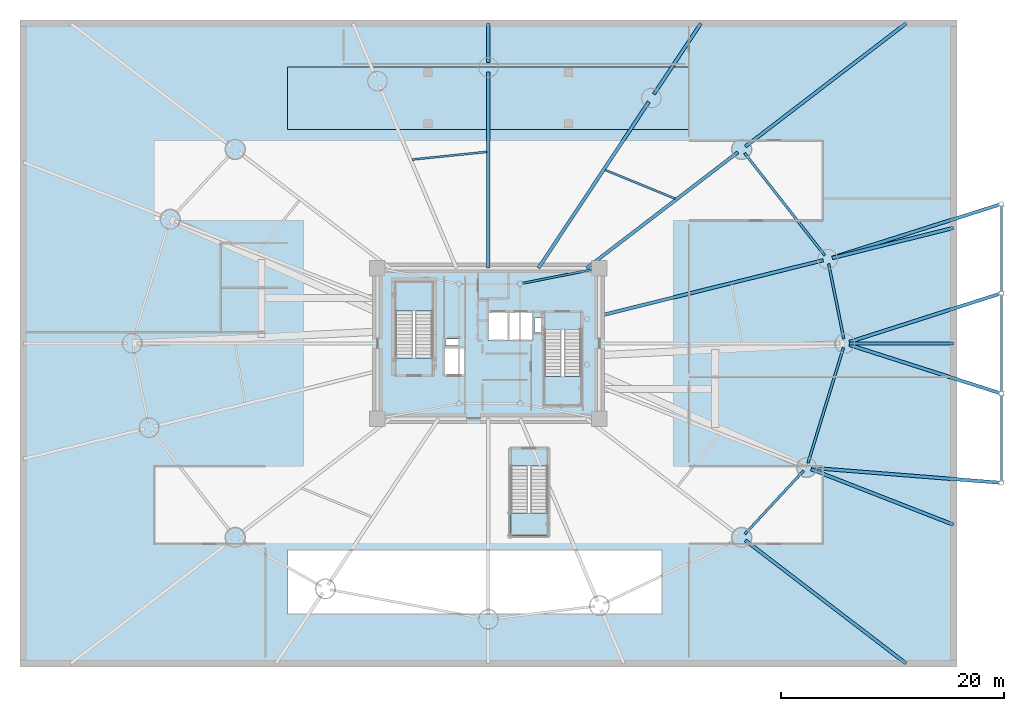
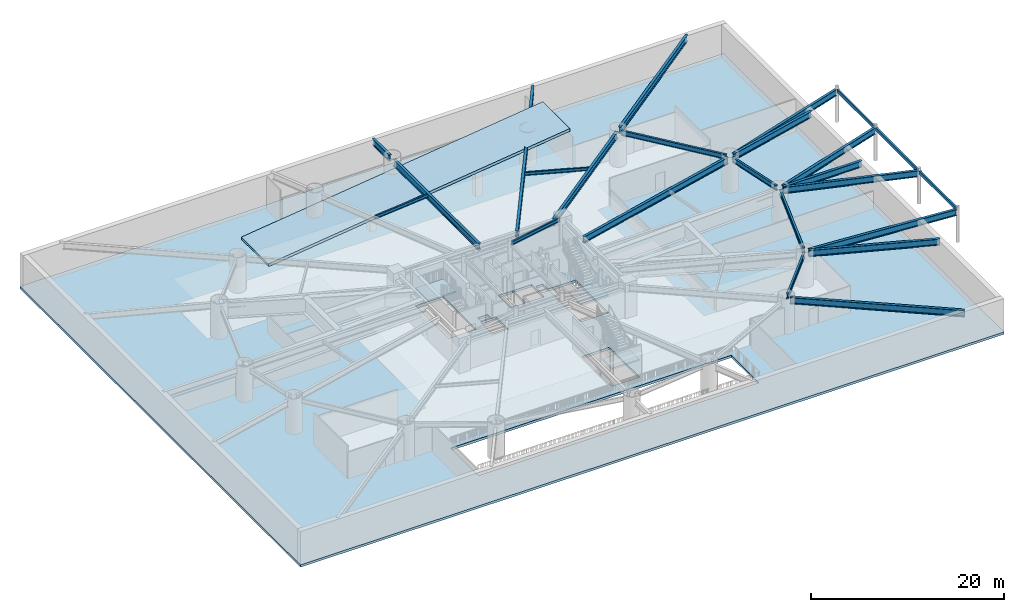
# One storey, part 6 of 21: 25 beams, 5 slabs, 3 elements without a shape of their own.
"""IFC4 building model written with IfcOpenShell, lengths in metres."""

from ifc_helpers import new_model, si_unit, direction, frame, origin, origin_2d, place, context, subcontext, project, spatial, polyline, hollow_rectangle, i_section, outline, extrude, material, layer, layer_set, material_profile, profile_set, type_object, element, aggregate, save


model = new_model("IFC4")

# Units and contexts
model_context = context("Model", 3, precision=1e-05, world=origin(), true_north=direction((0.0, 1.0)))
body_context = subcontext(model_context, "Body", "Model", "MODEL_VIEW")
ifc_project = project(units=[si_unit("LENGTHUNIT", "METRE"), si_unit("AREAUNIT", "SQUARE_METRE"), si_unit("VOLUMEUNIT", "CUBIC_METRE"), si_unit("PLANEANGLEUNIT", "RADIAN"), si_unit("MASSUNIT", "GRAM", prefix="KILO")], contexts=[model_context])

# Site, building, storey
site_placement = place(None, origin())
site = spatial("IfcSite", under=ifc_project, at=site_placement, CompositionType="ELEMENT")
building_placement = place(site_placement, origin())
building = spatial("IfcBuilding", under=site, at=building_placement, Name="Linh Dai School and Residence Tower", CompositionType="ELEMENT")
storey_placement = place(building_placement, frame((0.0, 0.0, -4.5)))
storey = spatial("IfcBuildingStorey", under=building, at=storey_placement, Name="B01", CompositionType="ELEMENT", Elevation=-4.5)

# Beams
ifc_material_1 = material(Name="Structural Steel S355JR", Category="steel")
ifc_material_profile_1 = material_profile(ifc_material_1, hollow_rectangle(XDim=0.199951171875, YDim=0.39990234375, WallThickness=0.012451171875, at=origin_2d()), Name="RHS 400x200x12.5")
ifc_profile_set_1 = profile_set([ifc_material_profile_1], Name="Structural Steel S355JR")
beam_type_1 = type_object("IfcBeamType", Name="BM-BX4", PredefinedType="BEAM", material=ifc_profile_set_1)
beam_1_placement = place(storey_placement, frame((82.0, 14.673095703125, 4.0), z_axis=(0.0, 1.0, 0.0), x_axis=(-1.0, 0.0, 0.0)))
element("IfcBeam", 1, at=beam_1_placement, inside=storey, type_object=beam_type_1, Name="B01 East Arrival Canopy Edge Beam 1", PredefinedType="BEAM", context=body_context, shape_type="SweptSolid", body=[
    extrude(hollow_rectangle(XDim=0.199951171875, YDim=0.39990234375, WallThickness=0.012451171875, at=origin_2d()), origin(), (0.0, 0.0, 1.0), 7.65380859375),
])
beam_2_placement = place(storey_placement, frame((82.0, 22.673095703125, 4.0), z_axis=(0.0, 1.0, 0.0), x_axis=(-1.0, 0.0, 0.0)))
element("IfcBeam", 2, at=beam_2_placement, inside=storey, type_object=beam_type_1, Name="B01 East Arrival Canopy Edge Beam 2", PredefinedType="BEAM", context=body_context, shape_type="SweptSolid", body=[
    extrude(hollow_rectangle(XDim=0.199951171875, YDim=0.39990234375, WallThickness=0.012451171875, at=origin_2d()), origin(), (0.0, 0.0, 1.0), 8.65380859375),
])
beam_3_placement = place(storey_placement, frame((82.0, 31.673095703125, 4.0), z_axis=(0.0, 1.0, 0.0), x_axis=(-1.0, 0.0, 0.0)))
element("IfcBeam", 3, at=beam_3_placement, inside=storey, type_object=beam_type_1, Name="B01 East Arrival Canopy Edge Beam 3", PredefinedType="BEAM", context=body_context, shape_type="SweptSolid", body=[
    extrude(hollow_rectangle(XDim=0.199951171875, YDim=0.39990234375, WallThickness=0.012451171875, at=origin_2d()), origin(), (0.0, 0.0, 1.0), 7.65380859375),
])
ifc_material_profile_2 = material_profile(ifc_material_1, i_section(OverallWidth=0.219970703125, OverallDepth=0.60009765625, WebThickness=0.011962890625, FlangeThickness=0.01904296875, FilletRadius=0.02392578125, at=origin_2d()), Name="IPE 600")
ifc_profile_set_2 = profile_set([ifc_material_profile_2], Name="Structural Steel S355JR")
beam_type_2 = type_object("IfcBeamType", Name="BM-RB60", PredefinedType="BEAM", material=ifc_profile_set_2)
beam_4_placement = place(storey_placement, frame((67.86669921875, 27.41162109375, 3.89990234375), z_axis=(-0.198405440792, 0.980120034008, 0.0), x_axis=(-0.980120034008, -0.198405440792, 0.0)))
element("IfcBeam", 4, at=beam_4_placement, inside=storey, type_object=beam_type_2, Name="B01 Perimeter Elliptical Ring Beam 01", PredefinedType="BEAM", context=body_context, shape_type="SweptSolid", body=[
    extrude(i_section(OverallWidth=0.219970703125, OverallDepth=0.60009765625, WebThickness=0.011962890625, FlangeThickness=0.01904296875, FilletRadius=0.02392578125, at=origin_2d()), origin(), (0.0, 0.0, 1.0), 6.86865234375),
])
beam_5_placement = place(storey_placement, frame((66.161376953125, 34.885986328125, 3.89990234375), z_axis=(-0.616811949607, 0.787110550572, 0.0), x_axis=(-0.787110550572, -0.616811949607, 0.0)))
element("IfcBeam", 5, at=beam_5_placement, inside=storey, type_object=beam_type_2, Name="B01 Perimeter Elliptical Ring Beam 02", PredefinedType="BEAM", context=body_context, shape_type="SweptSolid", body=[
    extrude(i_section(OverallWidth=0.219970703125, OverallDepth=0.60009765625, WebThickness=0.011962890625, FlangeThickness=0.01904296875, FilletRadius=0.02392578125, at=origin_2d()), origin(), (0.0, 0.0, 1.0), 11.668212890625),
])
beam_6_placement = place(storey_placement, frame((58.990966796875, 9.9072265625, 3.89990234375), z_axis=(0.680345653715, 0.73289139132, 0.0), x_axis=(-0.73289139132, 0.680345653715, 0.0)))
element("IfcBeam", 6, at=beam_6_placement, inside=storey, type_object=beam_type_2, Name="B01 Perimeter Elliptical Ring Beam 15", PredefinedType="BEAM", context=body_context, shape_type="SweptSolid", body=[
    extrude(i_section(OverallWidth=0.219970703125, OverallDepth=0.60009765625, WebThickness=0.011962890625, FlangeThickness=0.01904296875, FilletRadius=0.02392578125, at=origin_2d()), origin(), (0.0, 0.0, 1.0), 7.726806640625),
])
beam_7_placement = place(storey_placement, frame((64.656982421875, 16.279541015625, 3.89990234375), z_axis=(0.293626522026, 0.955920219246, 0.0), x_axis=(-0.955920219246, 0.293626522026, 0.0)))
element("IfcBeam", 7, at=beam_7_placement, inside=storey, type_object=beam_type_2, Name="B01 Perimeter Elliptical Ring Beam 16", PredefinedType="BEAM", context=body_context, shape_type="SweptSolid", body=[
    extrude(i_section(OverallWidth=0.219970703125, OverallDepth=0.60009765625, WebThickness=0.011962890625, FlangeThickness=0.01904296875, FilletRadius=0.02392578125, at=origin_2d()), origin(), (0.0, 0.0, 1.0), 10.794921875),
])
ifc_material_profile_3 = material_profile(ifc_material_1, i_section(OverallWidth=0.300048828125, OverallDepth=0.800048828125, WebThickness=0.017578125, FlangeThickness=0.032958984375, FilletRadius=0.030029296875, at=origin_2d()), Name="HEB 800")
ifc_profile_set_3 = profile_set([ifc_material_profile_3], Name="Structural Steel S355JR")
beam_type_3 = type_object("IfcBeamType", Name="BM-RG8", PredefinedType="BEAM", material=ifc_profile_set_3)
beam_8_placement = place(storey_placement, frame((45.949951171875, 29.47119140625, 3.800048828125), z_axis=(0.970515097282, 0.241040340913, 0.0), x_axis=(-0.241040340913, 0.970515097282, 0.0)))
element("IfcBeam", 8, at=beam_8_placement, inside=storey, type_object=beam_type_3, Name="B01 Primary Radial Floor Girder 02", PredefinedType="BEAM", context=body_context, shape_type="SweptSolid", body=[
    extrude(i_section(OverallWidth=0.300048828125, OverallDepth=0.800048828125, WebThickness=0.017578125, FlangeThickness=0.032958984375, FilletRadius=0.030029296875, at=origin_2d()), origin(), (0.0, 0.0, 1.0), 20.672607421875),
])
beam_9_placement = place(storey_placement, frame((44.807861328125, 33.75, 3.800048828125), z_axis=(0.793713040757, 0.608292371259, 0.0), x_axis=(-0.608292371259, 0.793713040757, 0.0)))
element("IfcBeam", 9, at=beam_9_placement, inside=storey, type_object=beam_type_3, Name="B01 Primary Radial Floor Girder 03", PredefinedType="BEAM", context=body_context, shape_type="SweptSolid", body=[
    extrude(i_section(OverallWidth=0.300048828125, OverallDepth=0.800048828125, WebThickness=0.017578125, FlangeThickness=0.032958984375, FilletRadius=0.030029296875, at=origin_2d()), origin(), (0.0, 0.0, 1.0), 17.08935546875),
])
beam_10_placement = place(storey_placement, frame((40.481201171875, 33.75, 3.800048828125), z_axis=(0.553108911901, 0.833108955404, 0.0), x_axis=(-0.833108955404, 0.553108911901, 0.0)))
element("IfcBeam", 10, at=beam_10_placement, inside=storey, type_object=beam_type_3, Name="B01 Primary Radial Floor Girder 04", PredefinedType="BEAM", context=body_context, shape_type="SweptSolid", body=[
    extrude(i_section(OverallWidth=0.300048828125, OverallDepth=0.800048828125, WebThickness=0.017578125, FlangeThickness=0.032958984375, FilletRadius=0.030029296875, at=origin_2d()), origin(), (0.0, 0.0, 1.0), 17.89111328125),
])
beam_11_placement = place(storey_placement, frame((36.0, 33.75, 3.800048828125), z_axis=(0.0, 1.0, 0.0), x_axis=(-1.0, 0.0, 0.0)))
element("IfcBeam", 11, at=beam_11_placement, inside=storey, type_object=beam_type_3, Name="B01 Primary Radial Floor Girder 05", PredefinedType="BEAM", context=body_context, shape_type="SweptSolid", body=[
    extrude(i_section(OverallWidth=0.300048828125, OverallDepth=0.800048828125, WebThickness=0.017578125, FlangeThickness=0.032958984375, FilletRadius=0.030029296875, at=origin_2d()), origin(), (0.0, 0.0, 1.0), 17.580078125),
])
beam_12_placement = place(storey_placement, frame((64.952392578125, 15.844970703125, 3.800048828125), z_axis=(0.996902494811, -0.078647414702, 0.0), x_axis=(0.078647414702, 0.996902494811, 0.0)))
element("IfcBeam", 12, at=beam_12_placement, inside=storey, type_object=beam_type_3, Name="B01 East Arrival Tie Girder 1", PredefinedType="BEAM", context=body_context, shape_type="SweptSolid", body=[
    extrude(i_section(OverallWidth=0.300048828125, OverallDepth=0.800048828125, WebThickness=0.017578125, FlangeThickness=0.032958984375, FilletRadius=0.030029296875, at=origin_2d()), origin(), (0.0, 0.0, 1.0), 16.927490234375),
])
for number, where, z_axis, x_axis, name in (
    (13, (68.35009765625, 26.871826171875, 3.800048828125), (0.952343434383, -0.305027839694, 0.0), (0.305027839694, 0.952343434383, 0.0), "B01 East Arrival Tie Girder 2"),
    (14, (68.35009765625, 27.128173828125, 3.800048828125), (0.952343434383, 0.305027839694, 0.0), (-0.305027839694, 0.952343434383, 0.0), "B01 East Arrival Tie Girder 3"),
):
    element("IfcBeam", number, at=place(storey_placement, frame(where, z_axis=z_axis, x_axis=x_axis)), inside=storey, type_object=beam_type_3, Name=name, PredefinedType="BEAM", context=body_context, shape_type="SweptSolid", body=[
        extrude(i_section(OverallWidth=0.300048828125, OverallDepth=0.800048828125, WebThickness=0.017578125, FlangeThickness=0.032958984375, FilletRadius=0.030029296875, at=origin_2d()), origin(), (0.0, 0.0, 1.0), 14.15966796875),
    ])
beam_13_placement = place(storey_placement, frame((66.82080078125, 34.682373046875, 3.800048828125), z_axis=(0.953147393774, 0.30250627389, 0.0), x_axis=(-0.30250627389, 0.953147393774, 0.0)))
element("IfcBeam", 15, at=beam_13_placement, inside=storey, type_object=beam_type_3, Name="B01 East Arrival Tie Girder 4", PredefinedType="BEAM", context=body_context, shape_type="SweptSolid", body=[
    extrude(i_section(OverallWidth=0.300048828125, OverallDepth=0.800048828125, WebThickness=0.017578125, FlangeThickness=0.032958984375, FilletRadius=0.030029296875, at=origin_2d()), origin(), (0.0, 0.0, 1.0), 15.752197265625),
])
beam_14_placement = place(storey_placement, frame((68.3701171875, 27.0, 3.800048828125), z_axis=(1.0, 0.0, 0.0), x_axis=(0.0, 1.0, 0.0)))
element("IfcBeam", 16, at=beam_14_placement, inside=storey, type_object=beam_type_3, Name="B01 Basement Retention Tie Girder 01", PredefinedType="BEAM", context=body_context, shape_type="SweptSolid", body=[
    extrude(i_section(OverallWidth=0.300048828125, OverallDepth=0.800048828125, WebThickness=0.017578125, FlangeThickness=0.032958984375, FilletRadius=0.030029296875, at=origin_2d()), origin(), (0.0, 0.0, 1.0), 9.329833984375),
])
beam_15_placement = place(storey_placement, frame((66.828125, 34.65673828125, 3.800048828125), z_axis=(0.970514416693, 0.241043081193, 0.0), x_axis=(-0.241043081193, 0.970514416693, 0.0)))
element("IfcBeam", 17, at=beam_15_placement, inside=storey, type_object=beam_type_3, Name="B01 Basement Retention Tie Girder 02", PredefinedType="BEAM", context=body_context, shape_type="SweptSolid", body=[
    extrude(i_section(OverallWidth=0.300048828125, OverallDepth=0.800048828125, WebThickness=0.017578125, FlangeThickness=0.032958984375, FilletRadius=0.030029296875, at=origin_2d()), origin(), (0.0, 0.0, 1.0), 11.2021484375),
])
beam_16_placement = place(storey_placement, frame((59.03857421875, 44.656005859375, 3.800048828125), z_axis=(0.793718458888, 0.608285301499, 0.0), x_axis=(-0.608285301499, 0.793718458888, 0.0)))
element("IfcBeam", 18, at=beam_16_placement, inside=storey, type_object=beam_type_3, Name="B01 Basement Retention Tie Girder 03", PredefinedType="BEAM", context=body_context, shape_type="SweptSolid", body=[
    extrude(i_section(OverallWidth=0.300048828125, OverallDepth=0.800048828125, WebThickness=0.017578125, FlangeThickness=0.032958984375, FilletRadius=0.030029296875, at=origin_2d()), origin(), (0.0, 0.0, 1.0), 18.15576171875),
])
beam_17_placement = place(storey_placement, frame((50.841552734375, 49.35498046875, 3.800048828125), z_axis=(0.553101284644, 0.833114019162, 0.0), x_axis=(-0.833114019162, 0.553101284644, 0.0)))
element("IfcBeam", 19, at=beam_17_placement, inside=storey, type_object=beam_type_3, Name="B01 Basement Retention Tie Girder 04", PredefinedType="BEAM", context=body_context, shape_type="SweptSolid", body=[
    extrude(i_section(OverallWidth=0.300048828125, OverallDepth=0.800048828125, WebThickness=0.017578125, FlangeThickness=0.032958984375, FilletRadius=0.030029296875, at=origin_2d()), origin(), (0.0, 0.0, 1.0), 7.615966796875),
])
beam_18_placement = place(storey_placement, frame((36.0, 52.169921875, 3.800048828125), z_axis=(0.0, 1.0, 0.0), x_axis=(-1.0, 0.0, 0.0)))
element("IfcBeam", 20, at=beam_18_placement, inside=storey, type_object=beam_type_3, Name="B01 Basement Retention Tie Girder 05", PredefinedType="BEAM", context=body_context, shape_type="SweptSolid", body=[
    extrude(i_section(OverallWidth=0.300048828125, OverallDepth=0.800048828125, WebThickness=0.017578125, FlangeThickness=0.032958984375, FilletRadius=0.030029296875, at=origin_2d()), origin(), (0.0, 0.0, 1.0), 3.530029296875),
])
beam_19_placement = place(storey_placement, frame((59.03857421875, 9.343994140625, 3.800048828125), z_axis=(0.793718458888, -0.608285301499, 0.0), x_axis=(0.608285301499, 0.793718458888, 0.0)))
element("IfcBeam", 21, at=beam_19_placement, inside=storey, type_object=beam_type_3, Name="B01 Basement Retention Tie Girder 15", PredefinedType="BEAM", context=body_context, shape_type="SweptSolid", body=[
    extrude(i_section(OverallWidth=0.300048828125, OverallDepth=0.800048828125, WebThickness=0.017578125, FlangeThickness=0.032958984375, FilletRadius=0.030029296875, at=origin_2d()), origin(), (0.0, 0.0, 1.0), 18.15576171875),
])
beam_20_placement = place(storey_placement, frame((64.925048828125, 15.725341796875, 3.800048828125), z_axis=(0.931721686457, -0.363173097828, 0.0), x_axis=(0.363173097828, 0.931721686457, 0.0)))
element("IfcBeam", 22, at=beam_20_placement, inside=storey, type_object=beam_type_3, Name="B01 Basement Retention Tie Girder 16", PredefinedType="BEAM", context=body_context, shape_type="SweptSolid", body=[
    extrude(i_section(OverallWidth=0.300048828125, OverallDepth=0.800048828125, WebThickness=0.017578125, FlangeThickness=0.032958984375, FilletRadius=0.030029296875, at=origin_2d()), origin(), (0.0, 0.0, 1.0), 13.711181640625),
])
ifc_material_profile_4 = material_profile(ifc_material_1, i_section(OverallWidth=0.179931640625, OverallDepth=0.39990234375, WebThickness=0.008544921875, FlangeThickness=0.013427734375, FilletRadius=0.02099609375, at=origin_2d()), Name="IPE 400")
ifc_profile_set_4 = profile_set([ifc_material_profile_4], Name="Structural Steel S355JR")
beam_type_4 = type_object("IfcBeamType", Name="BM-SB40", PredefinedType="BEAM", material=ifc_profile_set_4)
beam_21_placement = place(storey_placement, frame((52.748046875, 39.976806640625, 4.0), z_axis=(-0.925243182728, 0.37937455478, 0.0), x_axis=(-0.37937455478, -0.925243182728, 0.0)))
element("IfcBeam", 23, at=beam_21_placement, inside=storey, type_object=beam_type_4, Name="B01 Secondary Circumferential Floor Beam 02", PredefinedType="BEAM", context=body_context, shape_type="SweptSolid", body=[
    extrude(i_section(OverallWidth=0.179931640625, OverallDepth=0.39990234375, WebThickness=0.008544921875, FlangeThickness=0.013427734375, FilletRadius=0.02099609375, at=origin_2d()), origin(), (0.0, 0.0, 1.0), 6.779052734375),
])
beam_22_placement = place(storey_placement, frame((35.87060546875, 44.1767578125, 4.0), z_axis=(-0.994770416376, -0.102136275157, 0.0), x_axis=(0.102136275157, -0.994770416376, 0.0)))
element("IfcBeam", 24, at=beam_22_placement, inside=storey, type_object=beam_type_4, Name="B01 Secondary Circumferential Floor Beam 03", PredefinedType="BEAM", context=body_context, shape_type="SweptSolid", body=[
    extrude(i_section(OverallWidth=0.179931640625, OverallDepth=0.39990234375, WebThickness=0.008544921875, FlangeThickness=0.013427734375, FilletRadius=0.02099609375, at=origin_2d()), origin(), (0.0, 0.0, 1.0), 6.748046875),
])
ifc_material_profile_5 = material_profile(ifc_material_1, i_section(OverallWidth=0.18994140625, OverallDepth=0.449951171875, WebThickness=0.009521484375, FlangeThickness=0.0146484375, FilletRadius=0.02099609375, at=origin_2d()), Name="IPE 450")
ifc_profile_set_5 = profile_set([ifc_material_profile_5], Name="Structural Steel S355JR")
beam_type_5 = type_object("IfcBeamType", Name="BM-SB45", PredefinedType="BEAM", material=ifc_profile_set_5)
beam_23_placement = place(storey_placement, frame((45.537841796875, 33.668701171875, 3.97509765625), z_axis=(-0.981108354988, -0.193459028666, 0.0), x_axis=(0.193459028666, -0.981108354988, 0.0)))
element("IfcBeam", 25, at=beam_23_placement, inside=storey, type_object=beam_type_5, Name="B01 Core Corner-to-Mast Pier Beam 3", PredefinedType="BEAM", context=body_context, shape_type="SweptSolid", body=[
    extrude(i_section(OverallWidth=0.18994140625, OverallDepth=0.449951171875, WebThickness=0.009521484375, FlangeThickness=0.0146484375, FilletRadius=0.02099609375, at=origin_2d()), origin(), (0.0, 0.0, 1.0), 6.592529296875),
])

# Slabs
ifc_material_2 = material(Name="Concrete B45 (C35/45)", Category="concrete")
ifc_layer_1 = layer(ifc_material_2, 0.300048828125)
ifc_layer_set_1 = layer_set([ifc_layer_1], Name="Concrete B45 (C35/45)")
slab_type_1 = type_object("IfcSlabType", Name="SLB-FLR300", PredefinedType="FLOOR", material=ifc_layer_set_1)
slab_1_placement = place(storey_placement, frame((0.0, 0.0, -0.300048828125)))
element("IfcSlab", 26, at=slab_1_placement, inside=storey, type_object=slab_type_1, Name="B01 Basement Structural Floor Slab", PredefinedType="FLOOR", context=body_context, shape_type="SweptSolid", body=[
    extrude(outline(polyline([(-6.0, -2.0), (78.0, -2.0), (78.0, 56.0), (-6.0, 56.0), (-6.0, -2.0)]), holes=[polyline([(30.97998046875, 25.699951171875), (30.97998046875, 32.5), (27.679931640625, 32.5), (27.679931640625, 25.699951171875), (30.97998046875, 25.699951171875)]), polyline([(41.02001953125, 28.25), (41.02001953125, 21.449951171875), (44.320068359375, 21.449951171875), (44.320068359375, 28.25), (41.02001953125, 28.25)]), polyline([(38.0, 16.0), (38.0, 9.800048828125), (41.300048828125, 9.800048828125), (41.300048828125, 16.0), (38.0, 16.0)]), polyline([(35.97998046875, 27.280029296875), (37.77001953125, 27.280029296875), (37.77001953125, 29.820068359375), (35.97998046875, 29.820068359375), (35.97998046875, 27.280029296875)]), polyline([(32.030029296875, 24.1298828125), (33.8701171875, 24.1298828125), (33.8701171875, 26.6201171875), (32.030029296875, 26.6201171875), (32.030029296875, 24.1298828125)]), polyline([(37.830078125, 27.280029296875), (39.969970703125, 27.280029296875), (39.969970703125, 29.820068359375), (37.830078125, 29.820068359375), (37.830078125, 27.280029296875)]), polyline([(40.14990234375, 28.0), (40.14990234375, 29.300048828125), (41.0, 29.300048828125), (41.0, 28.280029296875), (40.989990234375, 28.280029296875), (40.989990234375, 28.0), (40.14990234375, 28.0)]), polyline([(32.14990234375, 26.800048828125), (33.35009765625, 26.800048828125), (33.35009765625, 27.39990234375), (32.14990234375, 27.39990234375), (32.14990234375, 26.800048828125)]), polyline([(18.0, 2.75), (51.5, 2.75), (51.5, 8.449951171875), (18.0, 8.449951171875), (18.0, 2.75)])]), origin(), (0.0, 0.0, 1.0), 0.300048828125),
])
ifc_layer_2 = layer(ifc_material_2, 0.35009765625)
ifc_layer_set_2 = layer_set([ifc_layer_2], Name="Concrete B45 (C35/45)")
slab_type_2 = type_object("IfcSlabType", Name="SLB-RAMP350", PredefinedType="BASESLAB", material=ifc_layer_set_2)
slab_2_placement = place(storey_placement, frame((18.0, 46.199951171875, 0.35009765625), z_axis=(-0.124034734589, 0.0, 0.992277876714), x_axis=(0.992277876714, 0.0, 0.124034734589)))
element("IfcSlab", 27, at=slab_2_placement, inside=storey, type_object=slab_type_2, Name="B01 Structural Vehicle Ramp Slab VR2", PredefinedType="BASESLAB", context=body_context, shape_type="SweptSolid", body=[
    extrude(outline(polyline([(0.0, 0.0), (36.28015986734348, 0.0), (36.28015986734348, 5.60009765625), (0.0, 5.60009765625), (0.0, 0.0)])), origin(), (0.0, 0.0, -1.0), 0.35009765625),
])

# Stair, slab
stair_type = type_object("IfcStairType", Name="ST-DOG-1550-R1500", PredefinedType="HALF_TURN_STAIR", material=ifc_material_2)
stair_1_placement = place(storey_placement, origin())
stair_1 = element("IfcStair", 28, at=stair_1_placement, inside=storey, type_object=stair_type, Name="B01 Core Smokeproof Exit Stair ST1", PredefinedType="HALF_TURN_STAIR")
ifc_layer_3 = layer(ifc_material_2, 0.199951171875)
ifc_layer_set_3 = layer_set([ifc_layer_3], Name="Concrete B45 (C35/45)")
slab_type_3 = type_object("IfcSlabType", Name="SLB-ST-LANDING-200", PredefinedType="LANDING", material=ifc_layer_set_3)
slab_3_placement = place(storey_placement, frame((0.0, 0.0, 2.050048828125)))
slab_3 = element("IfcSlab", 29, at=slab_3_placement, type_object=slab_type_3, Name="ST1 landing 1", PredefinedType="LANDING", context=body_context, shape_type="SweptSolid", body=[
    extrude(outline(polyline([(30.97998046875, 29.89990234375), (30.97998046875, 32.5), (27.679931640625, 32.5), (27.679931640625, 29.89990234375), (30.97998046875, 29.89990234375)])), origin(), (0.0, 0.0, 1.0), 0.199951171875),
])
aggregate(stair_1, [slab_3])

stair_2_placement = place(storey_placement, origin())
stair_2 = element("IfcStair", 30, at=stair_2_placement, inside=storey, type_object=stair_type, Name="B01 Core Smokeproof Exit Stair ST2", PredefinedType="HALF_TURN_STAIR")
slab_4_placement = place(storey_placement, frame((0.0, 0.0, 2.050048828125)))
slab_4 = element("IfcSlab", 31, at=slab_4_placement, type_object=slab_type_3, Name="ST2 landing 1", PredefinedType="LANDING", context=body_context, shape_type="SweptSolid", body=[
    extrude(outline(polyline([(41.02001953125, 24.050048828125), (41.02001953125, 21.449951171875), (44.320068359375, 21.449951171875), (44.320068359375, 24.050048828125), (41.02001953125, 24.050048828125)])), origin(), (0.0, 0.0, 1.0), 0.199951171875),
])
aggregate(stair_2, [slab_4])

stair_3_placement = place(storey_placement, origin())
stair_3 = element("IfcStair", 32, at=stair_3_placement, inside=storey, type_object=stair_type, Name="B01 Basement Exit Stair STB1", PredefinedType="HALF_TURN_STAIR")
slab_5_placement = place(storey_placement, frame((0.0, 0.0, 2.050048828125)))
slab_5 = element("IfcSlab", 33, at=slab_5_placement, type_object=slab_type_3, Name="STB1 landing 1", PredefinedType="LANDING", context=body_context, shape_type="SweptSolid", body=[
    extrude(outline(polyline([(38.0, 11.800048828125), (38.0, 9.800048828125), (41.300048828125, 9.800048828125), (41.300048828125, 11.800048828125), (38.0, 11.800048828125)])), origin(), (0.0, 0.0, 1.0), 0.199951171875),
])
aggregate(stair_3, [slab_5])

save(model, "model.ifc")
